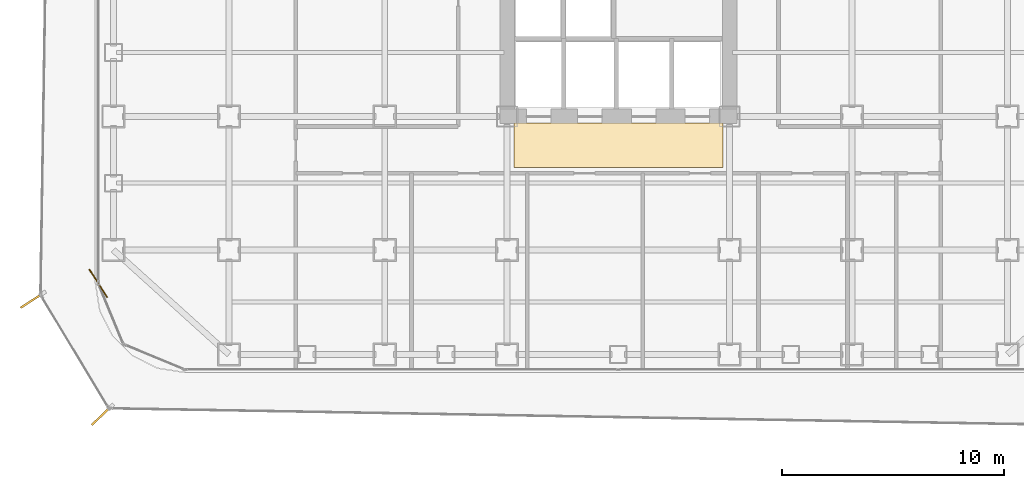
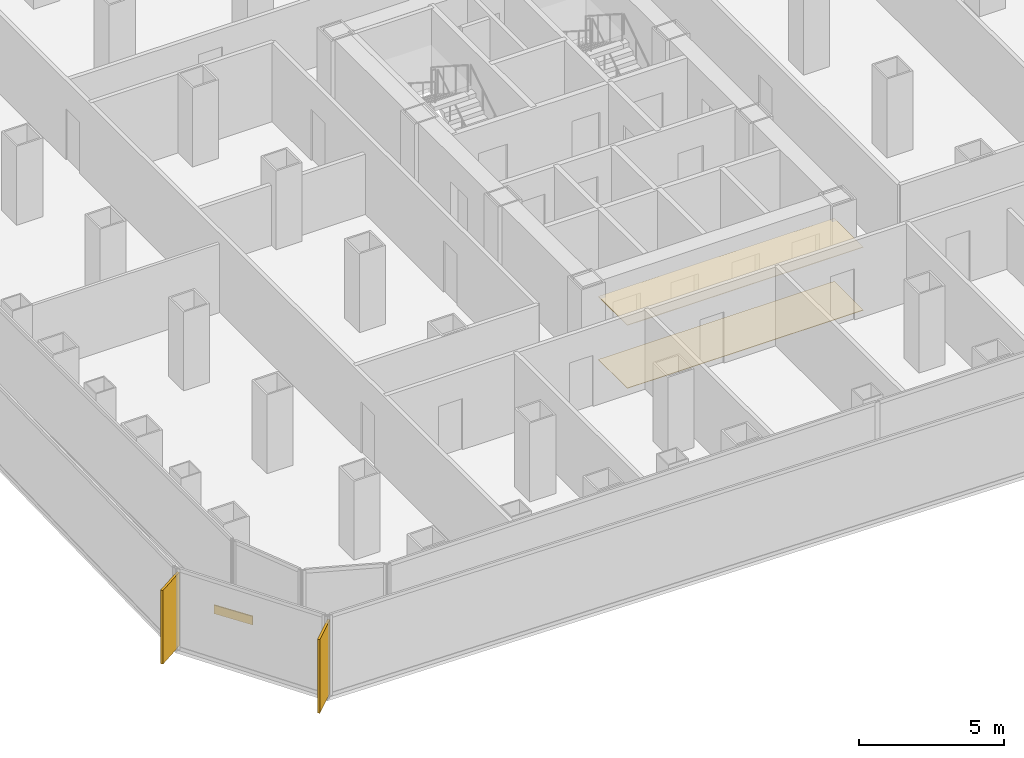
# One storey, part 20 of 22: 3 coverings, 2 shading devices.
"""IFC4 building model written with IfcOpenShell, lengths in metres."""

from ifc_helpers import new_model, si_unit, direction, frame, origin, origin_2d, place, context, subcontext, project, spatial, polyline, rectangle, outline, extrude, source, transform, mapped, material, layer, layer_set, type_object, element, save


model = new_model("IFC4")

# Units and contexts
model_context = context("Model", 3, precision=1e-05, world=origin(), true_north=direction((0.0, 1.0)))
body_context = subcontext(model_context, "Body", "Model", "MODEL_VIEW")
ifc_project = project(units=[si_unit("LENGTHUNIT", "METRE"), si_unit("AREAUNIT", "SQUARE_METRE"), si_unit("VOLUMEUNIT", "CUBIC_METRE"), si_unit("PLANEANGLEUNIT", "RADIAN"), si_unit("MASSUNIT", "GRAM", prefix="KILO")], contexts=[model_context])

# Site, building, storey
site_placement = place(None, origin())
site = spatial("IfcSite", under=ifc_project, at=site_placement, CompositionType="ELEMENT")
building_placement = place(site_placement, origin())
building = spatial("IfcBuilding", under=site, at=building_placement, Name="Kolveth Station Tower", CompositionType="ELEMENT")
storey_placement = place(building_placement, frame((0.0, 0.0, 54.89990234375)))
storey = spatial("IfcBuildingStorey", under=building, at=storey_placement, Name="L14", CompositionType="ELEMENT", Elevation=54.89990234375)

# Coverings
ifc_material_1 = material(Name="Acoustic mineral-fibre ceiling tile")
ifc_layer_1 = layer(ifc_material_1, 0.02490234375)
ifc_layer_set_1 = layer_set([ifc_layer_1], Name="Acoustic mineral-fibre ceiling tile")
covering_type_1 = type_object("IfcCoveringType", Name="Ceil_CL1", PredefinedType="CEILING", material=ifc_layer_set_1)
covering_1_placement = place(storey_placement, frame((0.0, 0.0, 2.650146484375)))
element("IfcCovering", 1, at=covering_1_placement, inside=storey, type_object=covering_type_1, Name="L14 Lift Lobby Suspended Ceiling", PredefinedType="CEILING", context=body_context, shape_type="SweptSolid", body=[
    extrude(outline(polyline([(18.800048828125, 9.199951171875), (28.199951171875, 9.199951171875), (28.199951171875, 11.199951171875), (18.800048828125, 11.199951171875), (18.800048828125, 9.199951171875)])), origin(), (0.0, 0.0, 1.0), 0.02490234375),
])
ifc_material_2 = material(Name="Honed terrazzo flooring")
ifc_layer_2 = layer(ifc_material_2, 0.02001953125)
ifc_layer_set_2 = layer_set([ifc_layer_2], Name="Honed terrazzo flooring")
covering_type_2 = type_object("IfcCoveringType", Name="Floor_FL1", PredefinedType="FLOORING", material=ifc_layer_set_2)
covering_2_placement = place(storey_placement, origin())
element("IfcCovering", 2, at=covering_2_placement, inside=storey, type_object=covering_type_2, Name="L14 Lift Lobby Floor Finish", PredefinedType="FLOORING", context=body_context, shape_type="SweptSolid", body=[
    extrude(outline(polyline([(18.800048828125, 9.199951171875), (28.199951171875, 9.199951171875), (28.199951171875, 11.199951171875), (18.800048828125, 11.199951171875), (18.800048828125, 9.199951171875)])), origin(), (0.0, 0.0, 1.0), 0.02001953125),
])

# Shading devices
ifc_material_3 = material(Name="Black anodized aluminium 6063-T6", Category="aluminium")
shading_device_type = type_object("IfcShadingDeviceType", Name="FIN_VF1", PredefinedType="USERDEFINED", material=ifc_material_3)
shared_shape_1 = source(origin(), body_context, "Body", "SweptSolid", [
    extrude(rectangle(XDim=1.25, YDim=0.090087890625, at=origin_2d()), origin(), (0.0, 0.0, 1.0), 3.10009765625),
])
for number, where, z_axis, x_axis, name in (
    (3, (-2.847900390625, 3.236083984375, 0.0), (0.0, 0.0, 1.0), (-0.840093553899, -0.542441536663, 0.0), "L14 Dark-Aluminium Solar Fin 7"),
    (4, (0.280029296875, -1.93701171875, 0.0), (0.0, 0.0, 1.0), (-0.72296714591, -0.690882411077, 0.0), "L14 Dark-Aluminium Solar Fin 8"),
):
    element("IfcShadingDevice", number, at=place(storey_placement, frame(where, z_axis=z_axis, x_axis=x_axis)), inside=storey, type_object=shading_device_type, Name=name, ObjectType="FIN", PredefinedType="USERDEFINED", context=body_context, shape_type="MappedRepresentation", body=[
        mapped(shared_shape_1, transform((0.0, 0.0, 0.0), x_axis=(1.0, 0.0, 0.0), y_axis=(0.0, 1.0, 0.0), z_axis=(0.0, 0.0, 1.0), scale=1.0)),
    ])

# Covering
ifc_material_4 = material(Name="Charcoal anodized aluminium spandrel cladding", Category="aluminium")
ifc_layer_3 = layer(ifc_material_4, 0.044921875)
ifc_layer_set_3 = layer_set([ifc_layer_3], Name="Charcoal anodized aluminium spandrel cladding")
covering_type_3 = type_object("IfcCoveringType", Name="Clad_CD1", PredefinedType="CLADDING", material=ifc_layer_set_3)
shared_shape_2 = source(origin(), body_context, "Body", "SweptSolid", [
    extrude(rectangle(XDim=1.5, YDim=0.044921875, at=origin_2d()), origin(), (0.0, 0.0, 1.0), 0.360107421875),
])
covering_3_placement = place(storey_placement, frame((0.1201171875, 4.0, 0.0), z_axis=(0.0, 0.0, 1.0), x_axis=(0.542441536663, -0.840093553899, 0.0)))
element("IfcCovering", 5, at=covering_3_placement, inside=storey, type_object=covering_type_3, Name="L14 Spandrel Edge Cladding 7", PredefinedType="CLADDING", context=body_context, shape_type="MappedRepresentation", body=[
    mapped(shared_shape_2, transform((0.0, 0.0, 0.0), x_axis=(1.0, 0.0, 0.0), y_axis=(0.0, 1.0, 0.0), z_axis=(0.0, 0.0, 1.0), scale=1.0)),
])

save(model, "model.ifc")
